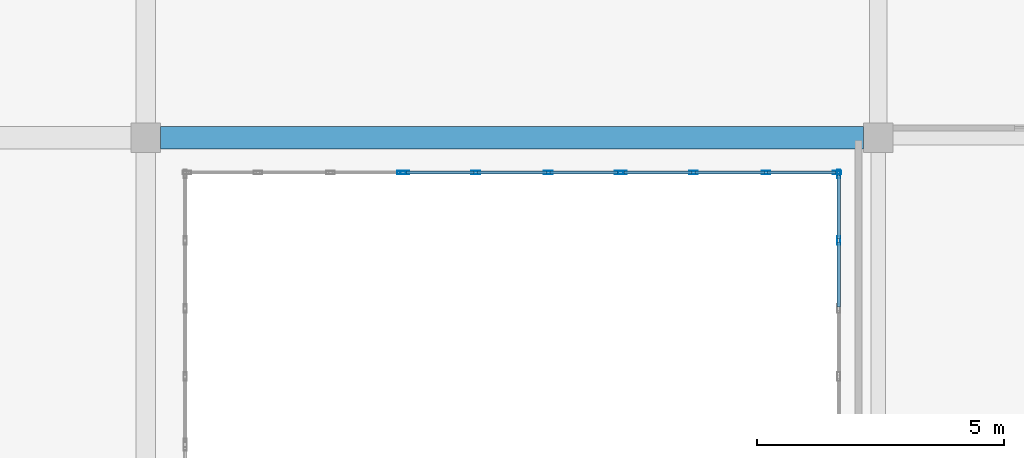
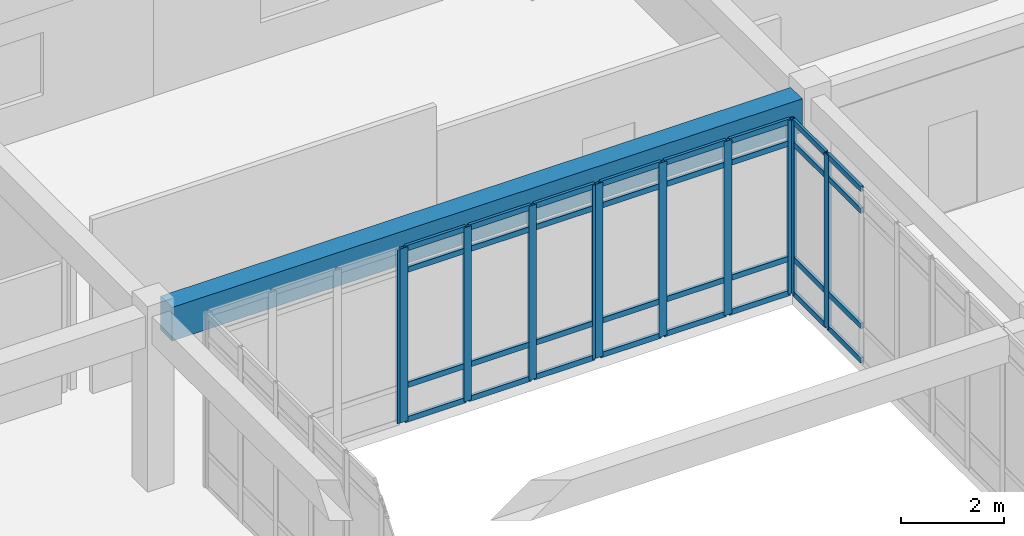
# One storey, part 92 of 142: 43 members, 1 beam, 4 elements without a shape of their own.
"""IFC4 building model written with IfcOpenShell, lengths in metres."""

from ifc_helpers import new_model, si_unit, direction, frame, origin, origin_2d, place, context, subcontext, project, spatial, rectangle, hollow_rectangle, extrude, material, layer, layer_set, material_profile, profile_set, type_object, element, aggregate, save


model = new_model("IFC4")

# Units and contexts
model_context = context("Model", 3, precision=1e-05, world=origin(), true_north=direction((0.0, 1.0)))
body_context = subcontext(model_context, "Body", "Model", "MODEL_VIEW")
ifc_project = project(units=[si_unit("LENGTHUNIT", "METRE"), si_unit("AREAUNIT", "SQUARE_METRE"), si_unit("VOLUMEUNIT", "CUBIC_METRE"), si_unit("PLANEANGLEUNIT", "RADIAN"), si_unit("MASSUNIT", "GRAM", prefix="KILO")], contexts=[model_context])

# Site, building, storey
site_placement = place(None, origin())
site = spatial("IfcSite", under=ifc_project, at=site_placement, CompositionType="ELEMENT")
building_placement = place(site_placement, origin())
building = spatial("IfcBuilding", under=site, at=building_placement, Name="Valcora Specialist Clinic", CompositionType="ELEMENT")
storey_placement = place(building_placement, frame((0.0, 0.0, 5.10009765625)))
storey = spatial("IfcBuildingStorey", under=building, at=storey_placement, Name="L01", CompositionType="ELEMENT", Elevation=5.10009765625)

# Beam
ifc_material_1 = material(Name="Concrete C40/50", Category="concrete")
ifc_material_profile_1 = material_profile(ifc_material_1, rectangle(XDim=0.449951171875, YDim=0.800048828125, at=origin_2d()), Name="RC-BM-450X800")
ifc_profile_set_1 = profile_set([ifc_material_profile_1], Name="Concrete C40/50")
beam_type = type_object("IfcBeamType", Name="TY-BM-RC450X800", PredefinedType="BEAM", material=ifc_profile_set_1)
beam_placement = place(storey_placement, frame((76.300048828125, 99.199951171875, 3.744873046875), z_axis=(1.0, 0.0, 0.0), x_axis=(0.0, 1.0, 0.0)))
element("IfcBeam", 1, at=beam_placement, inside=storey, type_object=beam_type, Name="Beam BM-L01-0642", PredefinedType="BEAM", context=body_context, shape_type="SweptSolid", body=[
    extrude(rectangle(XDim=0.449951171875, YDim=0.800048828125, at=origin_2d()), origin(), (0.0, 0.0, 1.0), 14.199951171875),
])

# Curtain wall, members
ifc_material_2 = material(Name="Anodized Bronze Aluminium 6063-T6", Category="aluminium")
ifc_layer = layer(ifc_material_2, 0.175048828125)
ifc_layer_set = layer_set([ifc_layer], Name="Anodized Bronze Aluminium 6063-T6")
curtain_wall_type = type_object("IfcCurtainWallType", Name="TY-CW-CRT15", PredefinedType="NOTDEFINED", material=ifc_layer_set)
curtain_wall_1_placement = place(storey_placement, origin())
curtain_wall_1 = element("IfcCurtainWall", 2, at=curtain_wall_1_placement, inside=storey, type_object=curtain_wall_type, Name="Curtain wall CW-L01-066", PredefinedType="NOTDEFINED")
ifc_material_profile_2 = material_profile(ifc_material_2, hollow_rectangle(XDim=0.06494140625, YDim=0.175048828125, WallThickness=0.00390625, at=origin_2d()), Name="AL-MUL-65X175")
ifc_profile_set_2 = profile_set([ifc_material_profile_2], Name="Anodized Bronze Aluminium 6063-T6")
member_type_1 = type_object("IfcMemberType", Name="TY-CWM-65X175", PredefinedType="MULLION", material=ifc_profile_set_2)
member_1_placement = place(storey_placement, frame((90.0, 97.125, 0.0), z_axis=(0.0, 0.0, 1.0), x_axis=(-1.0, 0.0, 0.0)))
member_1 = element("IfcMember", 3, at=member_1_placement, type_object=member_type_1, Name="CW-CRT-15 mullion 4", PredefinedType="MULLION", context=body_context, shape_type="SweptSolid", body=[
    extrude(hollow_rectangle(XDim=0.06494140625, YDim=0.175048828125, WallThickness=0.00390625, at=origin_2d()), origin(), (0.0, 0.0, 1.0), 4.14501953125),
])
member_2_placement = place(storey_placement, frame((90.0, 98.467529296875, 0.0), z_axis=(0.0, 0.0, 1.0), x_axis=(-1.0, 0.0, 0.0)))
member_2 = element("IfcMember", 4, at=member_2_placement, type_object=member_type_1, Name="CW-CRT-15 mullion 5", PredefinedType="MULLION", context=body_context, shape_type="SweptSolid", body=[
    extrude(hollow_rectangle(XDim=0.06494140625, YDim=0.175048828125, WallThickness=0.00390625, at=origin_2d()), origin(), (0.0, 0.0, 1.0), 4.14501953125),
])

curtain_wall_2_placement = place(storey_placement, origin())
curtain_wall_2 = element("IfcCurtainWall", 5, at=curtain_wall_2_placement, inside=storey, type_object=curtain_wall_type, Name="Curtain wall CW-L01-067", PredefinedType="NOTDEFINED")
member_3_placement = place(storey_placement, frame((89.967529296875, 98.5, 0.0), z_axis=(0.0, 0.0, 1.0), x_axis=(0.0, -1.0, 0.0)))
member_3 = element("IfcMember", 6, at=member_3_placement, type_object=member_type_1, Name="CW-CRT-15 mullion 1", PredefinedType="MULLION", context=body_context, shape_type="SweptSolid", body=[
    extrude(hollow_rectangle(XDim=0.06494140625, YDim=0.175048828125, WallThickness=0.00390625, at=origin_2d()), origin(), (0.0, 0.0, 1.0), 4.14501953125),
])
member_4_placement = place(storey_placement, frame((88.533447265625, 98.5, 0.0), z_axis=(0.0, 0.0, 1.0), x_axis=(0.0, -1.0, 0.0)))
member_4 = element("IfcMember", 7, at=member_4_placement, type_object=member_type_1, Name="CW-CRT-15 mullion 2", PredefinedType="MULLION", context=body_context, shape_type="SweptSolid", body=[
    extrude(hollow_rectangle(XDim=0.06494140625, YDim=0.175048828125, WallThickness=0.00390625, at=origin_2d()), origin(), (0.0, 0.0, 1.0), 4.14501953125),
])
member_5_placement = place(storey_placement, frame((87.066650390625, 98.5, 0.0), z_axis=(0.0, 0.0, 1.0), x_axis=(0.0, -1.0, 0.0)))
member_5 = element("IfcMember", 8, at=member_5_placement, type_object=member_type_1, Name="CW-CRT-15 mullion 3", PredefinedType="MULLION", context=body_context, shape_type="SweptSolid", body=[
    extrude(hollow_rectangle(XDim=0.06494140625, YDim=0.175048828125, WallThickness=0.00390625, at=origin_2d()), origin(), (0.0, 0.0, 1.0), 4.14501953125),
])
member_6_placement = place(storey_placement, frame((85.632568359375, 98.5, 0.0), z_axis=(0.0, 0.0, 1.0), x_axis=(0.0, -1.0, 0.0)))
member_6 = element("IfcMember", 9, at=member_6_placement, type_object=member_type_1, Name="CW-CRT-15 mullion 4", PredefinedType="MULLION", context=body_context, shape_type="SweptSolid", body=[
    extrude(hollow_rectangle(XDim=0.06494140625, YDim=0.175048828125, WallThickness=0.00390625, at=origin_2d()), origin(), (0.0, 0.0, 1.0), 4.14501953125),
])

curtain_wall_3_placement = place(storey_placement, origin())
curtain_wall_3 = element("IfcCurtainWall", 10, at=curtain_wall_3_placement, inside=storey, type_object=curtain_wall_type, Name="Curtain wall CW-L01-068", PredefinedType="NOTDEFINED")
member_7_placement = place(storey_placement, frame((85.5673828125, 98.5, 0.0), z_axis=(0.0, 0.0, 1.0), x_axis=(0.0, -1.0, 0.0)))
member_7 = element("IfcMember", 11, at=member_7_placement, type_object=member_type_1, Name="CW-CRT-15 mullion 1", PredefinedType="MULLION", context=body_context, shape_type="SweptSolid", body=[
    extrude(hollow_rectangle(XDim=0.06494140625, YDim=0.175048828125, WallThickness=0.00390625, at=origin_2d()), origin(), (0.0, 0.0, 1.0), 4.14501953125),
])
member_8_placement = place(storey_placement, frame((84.13330078125, 98.5, 0.0), z_axis=(0.0, 0.0, 1.0), x_axis=(0.0, -1.0, 0.0)))
member_8 = element("IfcMember", 12, at=member_8_placement, type_object=member_type_1, Name="CW-CRT-15 mullion 2", PredefinedType="MULLION", context=body_context, shape_type="SweptSolid", body=[
    extrude(hollow_rectangle(XDim=0.06494140625, YDim=0.175048828125, WallThickness=0.00390625, at=origin_2d()), origin(), (0.0, 0.0, 1.0), 4.14501953125),
])
member_9_placement = place(storey_placement, frame((82.666748046875, 98.5, 0.0), z_axis=(0.0, 0.0, 1.0), x_axis=(0.0, -1.0, 0.0)))
member_9 = element("IfcMember", 13, at=member_9_placement, type_object=member_type_1, Name="CW-CRT-15 mullion 3", PredefinedType="MULLION", context=body_context, shape_type="SweptSolid", body=[
    extrude(hollow_rectangle(XDim=0.06494140625, YDim=0.175048828125, WallThickness=0.00390625, at=origin_2d()), origin(), (0.0, 0.0, 1.0), 4.14501953125),
])
member_10_placement = place(storey_placement, frame((81.232421875, 98.5, 0.0), z_axis=(0.0, 0.0, 1.0), x_axis=(0.0, -1.0, 0.0)))
member_10 = element("IfcMember", 14, at=member_10_placement, type_object=member_type_1, Name="CW-CRT-15 mullion 4", PredefinedType="MULLION", context=body_context, shape_type="SweptSolid", body=[
    extrude(hollow_rectangle(XDim=0.06494140625, YDim=0.175048828125, WallThickness=0.00390625, at=origin_2d()), origin(), (0.0, 0.0, 1.0), 4.14501953125),
])

# Curtain wall, member
curtain_wall_4_placement = place(storey_placement, origin())
curtain_wall_4 = element("IfcCurtainWall", 15, at=curtain_wall_4_placement, inside=storey, type_object=curtain_wall_type, Name="Curtain wall CW-L01-069", PredefinedType="NOTDEFINED")
member_11_placement = place(storey_placement, frame((81.16748046875, 98.5, 0.0), z_axis=(0.0, 0.0, 1.0), x_axis=(0.0, -1.0, 0.0)))
member_11 = element("IfcMember", 16, at=member_11_placement, type_object=member_type_1, Name="CW-CRT-15 mullion 1", PredefinedType="MULLION", context=body_context, shape_type="SweptSolid", body=[
    extrude(hollow_rectangle(XDim=0.06494140625, YDim=0.175048828125, WallThickness=0.00390625, at=origin_2d()), origin(), (0.0, 0.0, 1.0), 4.14501953125),
])
aggregate(curtain_wall_4, [member_11])

# Member
ifc_material_profile_3 = material_profile(ifc_material_2, hollow_rectangle(XDim=0.06494140625, YDim=0.1298828125, WallThickness=0.00390625, at=origin_2d()), Name="AL-TRN-65X130")
ifc_profile_set_3 = profile_set([ifc_material_profile_3], Name="Anodized Bronze Aluminium 6063-T6")
member_type_2 = type_object("IfcMemberType", Name="TY-CWT-65X130", PredefinedType="USERDEFINED", material=ifc_profile_set_3)
member_12_placement = place(storey_placement, frame((90.0, 95.782470703125, 0.032470703125), z_axis=(0.0, 1.0, 0.0), x_axis=(-1.0, 0.0, 0.0)))
member_12 = element("IfcMember", 17, at=member_12_placement, type_object=member_type_2, Name="CW-CRT-15 transom 3.1", ObjectType="TRANSOM", PredefinedType="USERDEFINED", context=body_context, shape_type="SweptSolid", body=[
    extrude(hollow_rectangle(XDim=0.06494140625, YDim=0.1298828125, WallThickness=0.00390625, at=origin_2d()), origin(), (0.0, 0.0, 1.0), 1.31005859375),
])

member_13_placement = place(storey_placement, frame((90.0, 95.782470703125, 0.849853515625), z_axis=(0.0, 1.0, 0.0), x_axis=(-1.0, 0.0, 0.0)))
member_13 = element("IfcMember", 18, at=member_13_placement, type_object=member_type_2, Name="CW-CRT-15 transom 3.2", ObjectType="TRANSOM", PredefinedType="USERDEFINED", context=body_context, shape_type="SweptSolid", body=[
    extrude(hollow_rectangle(XDim=0.06494140625, YDim=0.1298828125, WallThickness=0.00390625, at=origin_2d()), origin(), (0.0, 0.0, 1.0), 1.31005859375),
])

member_14_placement = place(storey_placement, frame((90.0, 95.782470703125, 3.594970703125), z_axis=(0.0, 1.0, 0.0), x_axis=(-1.0, 0.0, 0.0)))
member_14 = element("IfcMember", 19, at=member_14_placement, type_object=member_type_2, Name="CW-CRT-15 transom 3.3", ObjectType="TRANSOM", PredefinedType="USERDEFINED", context=body_context, shape_type="SweptSolid", body=[
    extrude(hollow_rectangle(XDim=0.06494140625, YDim=0.1298828125, WallThickness=0.00390625, at=origin_2d()), origin(), (0.0, 0.0, 1.0), 1.31005859375),
])

member_15_placement = place(storey_placement, frame((90.0, 95.782470703125, 4.1123046875), z_axis=(0.0, 1.0, 0.0), x_axis=(-1.0, 0.0, 0.0)))
member_15 = element("IfcMember", 20, at=member_15_placement, type_object=member_type_2, Name="CW-CRT-15 transom 3.4", ObjectType="TRANSOM", PredefinedType="USERDEFINED", context=body_context, shape_type="SweptSolid", body=[
    extrude(hollow_rectangle(XDim=0.06494140625, YDim=0.1298828125, WallThickness=0.00390625, at=origin_2d()), origin(), (0.0, 0.0, 1.0), 1.31005859375),
])

member_16_placement = place(storey_placement, frame((90.0, 97.157470703125, 0.032470703125), z_axis=(0.0, 1.0, 0.0), x_axis=(-1.0, 0.0, 0.0)))
member_16 = element("IfcMember", 21, at=member_16_placement, type_object=member_type_2, Name="CW-CRT-15 transom 4.1", ObjectType="TRANSOM", PredefinedType="USERDEFINED", context=body_context, shape_type="SweptSolid", body=[
    extrude(hollow_rectangle(XDim=0.06494140625, YDim=0.1298828125, WallThickness=0.00390625, at=origin_2d()), origin(), (0.0, 0.0, 1.0), 1.277587890625),
])

member_17_placement = place(storey_placement, frame((90.0, 97.157470703125, 0.849853515625), z_axis=(0.0, 1.0, 0.0), x_axis=(-1.0, 0.0, 0.0)))
member_17 = element("IfcMember", 22, at=member_17_placement, type_object=member_type_2, Name="CW-CRT-15 transom 4.2", ObjectType="TRANSOM", PredefinedType="USERDEFINED", context=body_context, shape_type="SweptSolid", body=[
    extrude(hollow_rectangle(XDim=0.06494140625, YDim=0.1298828125, WallThickness=0.00390625, at=origin_2d()), origin(), (0.0, 0.0, 1.0), 1.277587890625),
])

member_18_placement = place(storey_placement, frame((90.0, 97.157470703125, 3.594970703125), z_axis=(0.0, 1.0, 0.0), x_axis=(-1.0, 0.0, 0.0)))
member_18 = element("IfcMember", 23, at=member_18_placement, type_object=member_type_2, Name="CW-CRT-15 transom 4.3", ObjectType="TRANSOM", PredefinedType="USERDEFINED", context=body_context, shape_type="SweptSolid", body=[
    extrude(hollow_rectangle(XDim=0.06494140625, YDim=0.1298828125, WallThickness=0.00390625, at=origin_2d()), origin(), (0.0, 0.0, 1.0), 1.277587890625),
])

member_19_placement = place(storey_placement, frame((90.0, 97.157470703125, 4.1123046875), z_axis=(0.0, 1.0, 0.0), x_axis=(-1.0, 0.0, 0.0)))
member_19 = element("IfcMember", 24, at=member_19_placement, type_object=member_type_2, Name="CW-CRT-15 transom 4.4", ObjectType="TRANSOM", PredefinedType="USERDEFINED", context=body_context, shape_type="SweptSolid", body=[
    extrude(hollow_rectangle(XDim=0.06494140625, YDim=0.1298828125, WallThickness=0.00390625, at=origin_2d()), origin(), (0.0, 0.0, 1.0), 1.277587890625),
])

aggregate(curtain_wall_1, [member_1, member_2, member_12, member_13, member_14, member_15, member_16, member_17, member_18, member_19])

member_20_placement = place(storey_placement, frame((89.93505859375, 98.5, 0.032470703125), z_axis=(-1.0, 0.0, 0.0), x_axis=(0.0, -1.0, 0.0)))
member_20 = element("IfcMember", 25, at=member_20_placement, type_object=member_type_2, Name="CW-CRT-15 transom 1.1", ObjectType="TRANSOM", PredefinedType="USERDEFINED", context=body_context, shape_type="SweptSolid", body=[
    extrude(hollow_rectangle(XDim=0.06494140625, YDim=0.1298828125, WallThickness=0.00390625, at=origin_2d()), origin(), (0.0, 0.0, 1.0), 1.369140625),
])

member_21_placement = place(storey_placement, frame((89.93505859375, 98.5, 0.849853515625), z_axis=(-1.0, 0.0, 0.0), x_axis=(0.0, -1.0, 0.0)))
member_21 = element("IfcMember", 26, at=member_21_placement, type_object=member_type_2, Name="CW-CRT-15 transom 1.2", ObjectType="TRANSOM", PredefinedType="USERDEFINED", context=body_context, shape_type="SweptSolid", body=[
    extrude(hollow_rectangle(XDim=0.06494140625, YDim=0.1298828125, WallThickness=0.00390625, at=origin_2d()), origin(), (0.0, 0.0, 1.0), 1.369140625),
])

member_22_placement = place(storey_placement, frame((89.93505859375, 98.5, 3.594970703125), z_axis=(-1.0, 0.0, 0.0), x_axis=(0.0, -1.0, 0.0)))
member_22 = element("IfcMember", 27, at=member_22_placement, type_object=member_type_2, Name="CW-CRT-15 transom 1.3", ObjectType="TRANSOM", PredefinedType="USERDEFINED", context=body_context, shape_type="SweptSolid", body=[
    extrude(hollow_rectangle(XDim=0.06494140625, YDim=0.1298828125, WallThickness=0.00390625, at=origin_2d()), origin(), (0.0, 0.0, 1.0), 1.369140625),
])

member_23_placement = place(storey_placement, frame((89.93505859375, 98.5, 4.1123046875), z_axis=(-1.0, 0.0, 0.0), x_axis=(0.0, -1.0, 0.0)))
member_23 = element("IfcMember", 28, at=member_23_placement, type_object=member_type_2, Name="CW-CRT-15 transom 1.4", ObjectType="TRANSOM", PredefinedType="USERDEFINED", context=body_context, shape_type="SweptSolid", body=[
    extrude(hollow_rectangle(XDim=0.06494140625, YDim=0.1298828125, WallThickness=0.00390625, at=origin_2d()), origin(), (0.0, 0.0, 1.0), 1.369140625),
])

member_24_placement = place(storey_placement, frame((88.500732421875, 98.5, 0.032470703125), z_axis=(-1.0, 0.0, 0.0), x_axis=(0.0, -1.0, 0.0)))
member_24 = element("IfcMember", 29, at=member_24_placement, type_object=member_type_2, Name="CW-CRT-15 transom 2.1", ObjectType="TRANSOM", PredefinedType="USERDEFINED", context=body_context, shape_type="SweptSolid", body=[
    extrude(hollow_rectangle(XDim=0.06494140625, YDim=0.1298828125, WallThickness=0.00390625, at=origin_2d()), origin(), (0.0, 0.0, 1.0), 1.401611328125),
])

member_25_placement = place(storey_placement, frame((88.500732421875, 98.5, 0.849853515625), z_axis=(-1.0, 0.0, 0.0), x_axis=(0.0, -1.0, 0.0)))
member_25 = element("IfcMember", 30, at=member_25_placement, type_object=member_type_2, Name="CW-CRT-15 transom 2.2", ObjectType="TRANSOM", PredefinedType="USERDEFINED", context=body_context, shape_type="SweptSolid", body=[
    extrude(hollow_rectangle(XDim=0.06494140625, YDim=0.1298828125, WallThickness=0.00390625, at=origin_2d()), origin(), (0.0, 0.0, 1.0), 1.401611328125),
])

member_26_placement = place(storey_placement, frame((88.500732421875, 98.5, 3.594970703125), z_axis=(-1.0, 0.0, 0.0), x_axis=(0.0, -1.0, 0.0)))
member_26 = element("IfcMember", 31, at=member_26_placement, type_object=member_type_2, Name="CW-CRT-15 transom 2.3", ObjectType="TRANSOM", PredefinedType="USERDEFINED", context=body_context, shape_type="SweptSolid", body=[
    extrude(hollow_rectangle(XDim=0.06494140625, YDim=0.1298828125, WallThickness=0.00390625, at=origin_2d()), origin(), (0.0, 0.0, 1.0), 1.401611328125),
])

member_27_placement = place(storey_placement, frame((88.500732421875, 98.5, 4.1123046875), z_axis=(-1.0, 0.0, 0.0), x_axis=(0.0, -1.0, 0.0)))
member_27 = element("IfcMember", 32, at=member_27_placement, type_object=member_type_2, Name="CW-CRT-15 transom 2.4", ObjectType="TRANSOM", PredefinedType="USERDEFINED", context=body_context, shape_type="SweptSolid", body=[
    extrude(hollow_rectangle(XDim=0.06494140625, YDim=0.1298828125, WallThickness=0.00390625, at=origin_2d()), origin(), (0.0, 0.0, 1.0), 1.401611328125),
])

member_28_placement = place(storey_placement, frame((87.0341796875, 98.5, 0.032470703125), z_axis=(-1.0, 0.0, 0.0), x_axis=(0.0, -1.0, 0.0)))
member_28 = element("IfcMember", 33, at=member_28_placement, type_object=member_type_2, Name="CW-CRT-15 transom 3.1", ObjectType="TRANSOM", PredefinedType="USERDEFINED", context=body_context, shape_type="SweptSolid", body=[
    extrude(hollow_rectangle(XDim=0.06494140625, YDim=0.1298828125, WallThickness=0.00390625, at=origin_2d()), origin(), (0.0, 0.0, 1.0), 1.369140625),
])

member_29_placement = place(storey_placement, frame((87.0341796875, 98.5, 0.849853515625), z_axis=(-1.0, 0.0, 0.0), x_axis=(0.0, -1.0, 0.0)))
member_29 = element("IfcMember", 34, at=member_29_placement, type_object=member_type_2, Name="CW-CRT-15 transom 3.2", ObjectType="TRANSOM", PredefinedType="USERDEFINED", context=body_context, shape_type="SweptSolid", body=[
    extrude(hollow_rectangle(XDim=0.06494140625, YDim=0.1298828125, WallThickness=0.00390625, at=origin_2d()), origin(), (0.0, 0.0, 1.0), 1.369140625),
])

member_30_placement = place(storey_placement, frame((87.0341796875, 98.5, 3.594970703125), z_axis=(-1.0, 0.0, 0.0), x_axis=(0.0, -1.0, 0.0)))
member_30 = element("IfcMember", 35, at=member_30_placement, type_object=member_type_2, Name="CW-CRT-15 transom 3.3", ObjectType="TRANSOM", PredefinedType="USERDEFINED", context=body_context, shape_type="SweptSolid", body=[
    extrude(hollow_rectangle(XDim=0.06494140625, YDim=0.1298828125, WallThickness=0.00390625, at=origin_2d()), origin(), (0.0, 0.0, 1.0), 1.369140625),
])

member_31_placement = place(storey_placement, frame((87.0341796875, 98.5, 4.1123046875), z_axis=(-1.0, 0.0, 0.0), x_axis=(0.0, -1.0, 0.0)))
member_31 = element("IfcMember", 36, at=member_31_placement, type_object=member_type_2, Name="CW-CRT-15 transom 3.4", ObjectType="TRANSOM", PredefinedType="USERDEFINED", context=body_context, shape_type="SweptSolid", body=[
    extrude(hollow_rectangle(XDim=0.06494140625, YDim=0.1298828125, WallThickness=0.00390625, at=origin_2d()), origin(), (0.0, 0.0, 1.0), 1.369140625),
])

aggregate(curtain_wall_2, [member_3, member_4, member_5, member_6, member_20, member_21, member_22, member_23, member_24, member_25, member_26, member_27, member_28, member_29, member_30, member_31])

member_32_placement = place(storey_placement, frame((85.534912109375, 98.5, 0.032470703125), z_axis=(-1.0, 0.0, 0.0), x_axis=(0.0, -1.0, 0.0)))
member_32 = element("IfcMember", 37, at=member_32_placement, type_object=member_type_2, Name="CW-CRT-15 transom 1.1", ObjectType="TRANSOM", PredefinedType="USERDEFINED", context=body_context, shape_type="SweptSolid", body=[
    extrude(hollow_rectangle(XDim=0.06494140625, YDim=0.1298828125, WallThickness=0.00390625, at=origin_2d()), origin(), (0.0, 0.0, 1.0), 1.369140625),
])

member_33_placement = place(storey_placement, frame((85.534912109375, 98.5, 0.849853515625), z_axis=(-1.0, 0.0, 0.0), x_axis=(0.0, -1.0, 0.0)))
member_33 = element("IfcMember", 38, at=member_33_placement, type_object=member_type_2, Name="CW-CRT-15 transom 1.2", ObjectType="TRANSOM", PredefinedType="USERDEFINED", context=body_context, shape_type="SweptSolid", body=[
    extrude(hollow_rectangle(XDim=0.06494140625, YDim=0.1298828125, WallThickness=0.00390625, at=origin_2d()), origin(), (0.0, 0.0, 1.0), 1.369140625),
])

member_34_placement = place(storey_placement, frame((85.534912109375, 98.5, 3.594970703125), z_axis=(-1.0, 0.0, 0.0), x_axis=(0.0, -1.0, 0.0)))
member_34 = element("IfcMember", 39, at=member_34_placement, type_object=member_type_2, Name="CW-CRT-15 transom 1.3", ObjectType="TRANSOM", PredefinedType="USERDEFINED", context=body_context, shape_type="SweptSolid", body=[
    extrude(hollow_rectangle(XDim=0.06494140625, YDim=0.1298828125, WallThickness=0.00390625, at=origin_2d()), origin(), (0.0, 0.0, 1.0), 1.369140625),
])

member_35_placement = place(storey_placement, frame((85.534912109375, 98.5, 4.1123046875), z_axis=(-1.0, 0.0, 0.0), x_axis=(0.0, -1.0, 0.0)))
member_35 = element("IfcMember", 40, at=member_35_placement, type_object=member_type_2, Name="CW-CRT-15 transom 1.4", ObjectType="TRANSOM", PredefinedType="USERDEFINED", context=body_context, shape_type="SweptSolid", body=[
    extrude(hollow_rectangle(XDim=0.06494140625, YDim=0.1298828125, WallThickness=0.00390625, at=origin_2d()), origin(), (0.0, 0.0, 1.0), 1.369140625),
])

member_36_placement = place(storey_placement, frame((84.100830078125, 98.5, 0.032470703125), z_axis=(-1.0, 0.0, 0.0), x_axis=(0.0, -1.0, 0.0)))
member_36 = element("IfcMember", 41, at=member_36_placement, type_object=member_type_2, Name="CW-CRT-15 transom 2.1", ObjectType="TRANSOM", PredefinedType="USERDEFINED", context=body_context, shape_type="SweptSolid", body=[
    extrude(hollow_rectangle(XDim=0.06494140625, YDim=0.1298828125, WallThickness=0.00390625, at=origin_2d()), origin(), (0.0, 0.0, 1.0), 1.401611328125),
])

member_37_placement = place(storey_placement, frame((84.100830078125, 98.5, 0.849853515625), z_axis=(-1.0, 0.0, 0.0), x_axis=(0.0, -1.0, 0.0)))
member_37 = element("IfcMember", 42, at=member_37_placement, type_object=member_type_2, Name="CW-CRT-15 transom 2.2", ObjectType="TRANSOM", PredefinedType="USERDEFINED", context=body_context, shape_type="SweptSolid", body=[
    extrude(hollow_rectangle(XDim=0.06494140625, YDim=0.1298828125, WallThickness=0.00390625, at=origin_2d()), origin(), (0.0, 0.0, 1.0), 1.401611328125),
])

member_38_placement = place(storey_placement, frame((84.100830078125, 98.5, 3.594970703125), z_axis=(-1.0, 0.0, 0.0), x_axis=(0.0, -1.0, 0.0)))
member_38 = element("IfcMember", 43, at=member_38_placement, type_object=member_type_2, Name="CW-CRT-15 transom 2.3", ObjectType="TRANSOM", PredefinedType="USERDEFINED", context=body_context, shape_type="SweptSolid", body=[
    extrude(hollow_rectangle(XDim=0.06494140625, YDim=0.1298828125, WallThickness=0.00390625, at=origin_2d()), origin(), (0.0, 0.0, 1.0), 1.401611328125),
])

member_39_placement = place(storey_placement, frame((84.100830078125, 98.5, 4.1123046875), z_axis=(-1.0, 0.0, 0.0), x_axis=(0.0, -1.0, 0.0)))
member_39 = element("IfcMember", 44, at=member_39_placement, type_object=member_type_2, Name="CW-CRT-15 transom 2.4", ObjectType="TRANSOM", PredefinedType="USERDEFINED", context=body_context, shape_type="SweptSolid", body=[
    extrude(hollow_rectangle(XDim=0.06494140625, YDim=0.1298828125, WallThickness=0.00390625, at=origin_2d()), origin(), (0.0, 0.0, 1.0), 1.401611328125),
])

member_40_placement = place(storey_placement, frame((82.63427734375, 98.5, 0.032470703125), z_axis=(-1.0, 0.0, 0.0), x_axis=(0.0, -1.0, 0.0)))
member_40 = element("IfcMember", 45, at=member_40_placement, type_object=member_type_2, Name="CW-CRT-15 transom 3.1", ObjectType="TRANSOM", PredefinedType="USERDEFINED", context=body_context, shape_type="SweptSolid", body=[
    extrude(hollow_rectangle(XDim=0.06494140625, YDim=0.1298828125, WallThickness=0.00390625, at=origin_2d()), origin(), (0.0, 0.0, 1.0), 1.369384765625),
])

member_41_placement = place(storey_placement, frame((82.63427734375, 98.5, 0.849853515625), z_axis=(-1.0, 0.0, 0.0), x_axis=(0.0, -1.0, 0.0)))
member_41 = element("IfcMember", 46, at=member_41_placement, type_object=member_type_2, Name="CW-CRT-15 transom 3.2", ObjectType="TRANSOM", PredefinedType="USERDEFINED", context=body_context, shape_type="SweptSolid", body=[
    extrude(hollow_rectangle(XDim=0.06494140625, YDim=0.1298828125, WallThickness=0.00390625, at=origin_2d()), origin(), (0.0, 0.0, 1.0), 1.369384765625),
])

member_42_placement = place(storey_placement, frame((82.63427734375, 98.5, 3.594970703125), z_axis=(-1.0, 0.0, 0.0), x_axis=(0.0, -1.0, 0.0)))
member_42 = element("IfcMember", 47, at=member_42_placement, type_object=member_type_2, Name="CW-CRT-15 transom 3.3", ObjectType="TRANSOM", PredefinedType="USERDEFINED", context=body_context, shape_type="SweptSolid", body=[
    extrude(hollow_rectangle(XDim=0.06494140625, YDim=0.1298828125, WallThickness=0.00390625, at=origin_2d()), origin(), (0.0, 0.0, 1.0), 1.369384765625),
])

member_43_placement = place(storey_placement, frame((82.63427734375, 98.5, 4.1123046875), z_axis=(-1.0, 0.0, 0.0), x_axis=(0.0, -1.0, 0.0)))
member_43 = element("IfcMember", 48, at=member_43_placement, type_object=member_type_2, Name="CW-CRT-15 transom 3.4", ObjectType="TRANSOM", PredefinedType="USERDEFINED", context=body_context, shape_type="SweptSolid", body=[
    extrude(hollow_rectangle(XDim=0.06494140625, YDim=0.1298828125, WallThickness=0.00390625, at=origin_2d()), origin(), (0.0, 0.0, 1.0), 1.369384765625),
])

aggregate(curtain_wall_3, [member_7, member_8, member_9, member_10, member_32, member_33, member_34, member_35, member_36, member_37, member_38, member_39, member_40, member_41, member_42, member_43])

save(model, "model.ifc")
